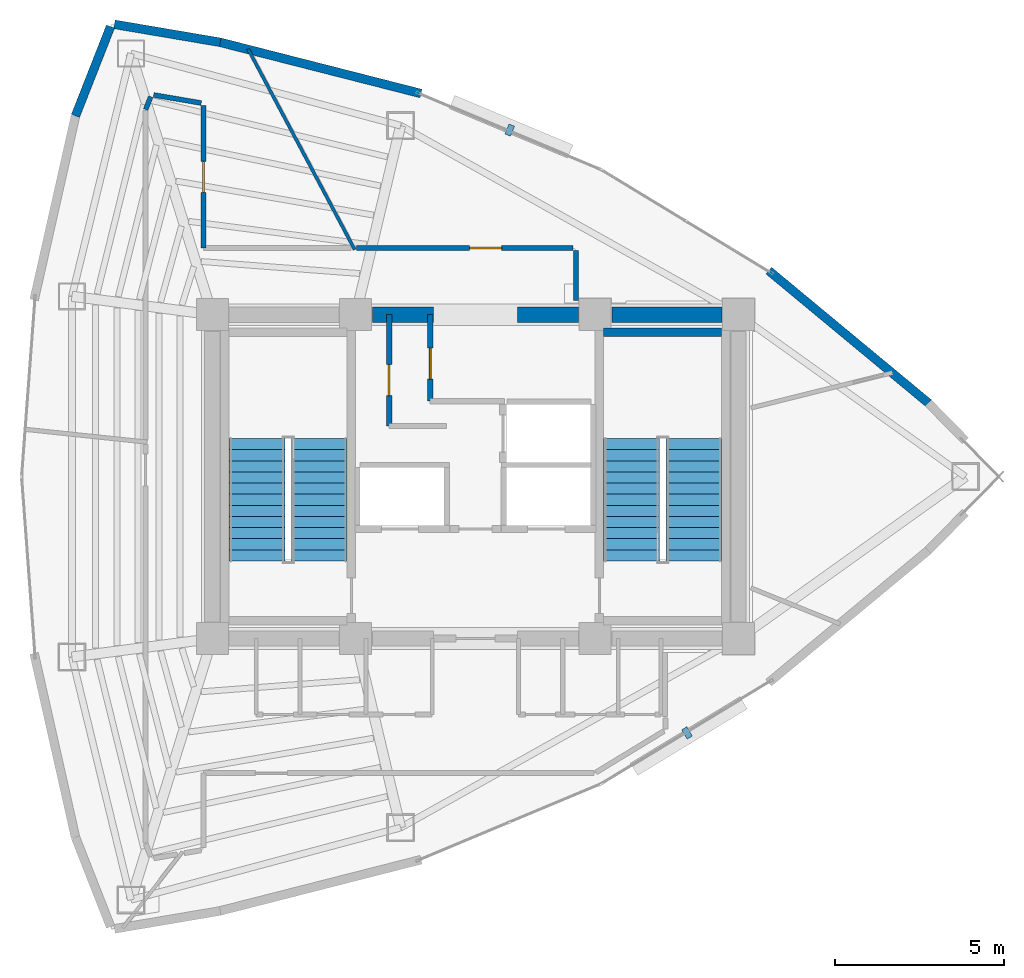
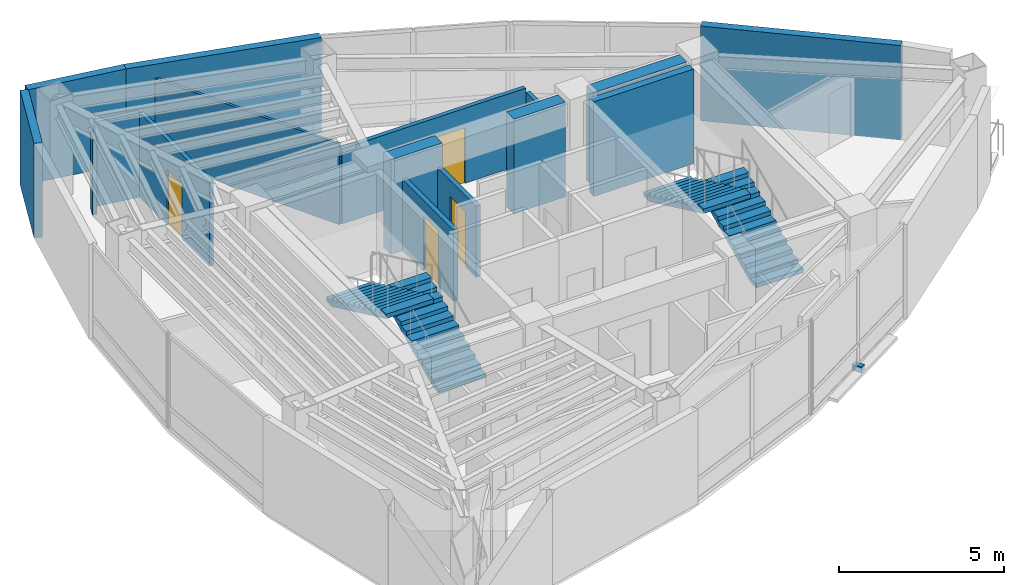
# One storey, part 13 of 15: 16 walls, 4 doors, 4 stair flights, 2 discrete accessories, 4 openings, 2 elements without a shape of their own.
"""IFC4 building model written with IfcOpenShell, lengths in metres."""

from ifc_helpers import new_model, si_unit, direction, frame, frame_2d, origin, origin_2d, place, context, subcontext, project, spatial, polyline, rectangle, outline, extrude, material, layer, layer_set, type_object, element, fill, aggregate, save


model = new_model("IFC4")

# Units and contexts
model_context = context("Model", 3, precision=1e-05, world=origin(), true_north=direction((0.0, 1.0)))
body_context = subcontext(model_context, "Body", "Model", "MODEL_VIEW")
ifc_project = project(units=[si_unit("LENGTHUNIT", "METRE"), si_unit("AREAUNIT", "SQUARE_METRE"), si_unit("VOLUMEUNIT", "CUBIC_METRE"), si_unit("PLANEANGLEUNIT", "RADIAN"), si_unit("MASSUNIT", "GRAM", prefix="KILO")], contexts=[model_context])

# Site, building, storey
site_placement = place(None, origin())
site = spatial("IfcSite", under=ifc_project, at=site_placement, CompositionType="ELEMENT")
building_placement = place(site_placement, origin())
building = spatial("IfcBuilding", under=site, at=building_placement, Name="Menara Vayukalpa", CompositionType="ELEMENT")
storey_placement = place(building_placement, frame((0.0, 0.0, 254.580078125)))
storey = spatial("IfcBuildingStorey", under=building, at=storey_placement, Name="L64", CompositionType="ELEMENT", Elevation=254.580078125)

# Walls
ifc_material_1 = material(Name="Concrete C50/60", Category="concrete")
ifc_layer_1 = layer(ifc_material_1, 0.449951171875)
ifc_layer_set_1 = layer_set([ifc_layer_1], Name="Concrete C50/60")
wall_type_1 = type_object("IfcWallType", Name="WAL-CW450", PredefinedType="SHEAR", material=ifc_layer_set_1)
wall_1_placement = place(storey_placement, frame((22.544921875, 26.800048828125, 0.0), z_axis=(0.0, 0.0, 1.0), x_axis=(1.0, 0.0, 0.0)))
element("IfcWall", 1, at=wall_1_placement, inside=storey, type_object=wall_type_1, Name="L64 Buttressed Core Shear Wall CWN2", PredefinedType="SHEAR", context=body_context, shape_type="SweptSolid", body=[
    extrude(rectangle(XDim=1.80517578125, YDim=0.449951171875, at=frame_2d((0.902587890625, 0.0))), origin(), (0.0, 0.0, 1.0), 3.5),
])
wall_2_placement = place(storey_placement, frame((26.85009765625, 26.800048828125, 0.0), z_axis=(0.0, 0.0, 1.0), x_axis=(1.0, 0.0, 0.0)))
element("IfcWall", 2, at=wall_2_placement, inside=storey, type_object=wall_type_1, Name="L64 Buttressed Core Shear Wall CWN3", PredefinedType="SHEAR", context=body_context, shape_type="SweptSolid", body=[
    extrude(rectangle(XDim=1.804931640625, YDim=0.449951171875, at=frame_2d((0.90234375, 0.0))), origin(), (0.0, 0.0, 1.0), 3.5),
])
wall_3_placement = place(storey_placement, frame((29.64501953125, 26.800048828125, 0.0), z_axis=(0.0, 0.0, 1.0), x_axis=(1.0, 0.0, 0.0)))
element("IfcWall", 3, at=wall_3_placement, inside=storey, type_object=wall_type_1, Name="L64 Buttressed Core Shear Wall CWN4", PredefinedType="SHEAR", context=body_context, shape_type="SweptSolid", body=[
    extrude(rectangle(XDim=3.260009765625, YDim=0.449951171875, at=frame_2d((1.6298828125, 0.0))), origin(), (0.0, 0.0, 1.0), 3.5),
])
ifc_material_2 = material(Name="Insulated Precast Concrete C40/50", Category="concrete")
ifc_layer_2 = layer(ifc_material_2, 0.260009765625)
ifc_layer_set_2 = layer_set([ifc_layer_2], Name="Insulated Precast Concrete C40/50")
wall_type_2 = type_object("IfcWallType", Name="WAL-EXT260", PredefinedType="PARTITIONING", material=ifc_layer_set_2)
wall_4_placement = place(storey_placement, frame((34.295166015625, 28.1083984375, 0.0), z_axis=(0.0, 0.0, 1.0), x_axis=(0.769779830138, -0.638309496337, 0.0)))
element("IfcWall", 4, at=wall_4_placement, inside=storey, type_object=wall_type_2, Name="L64 Perimeter Terracotta Pier Wall 03", PredefinedType="PARTITIONING", context=body_context, shape_type="SweptSolid", body=[
    extrude(rectangle(XDim=6.154052734375, YDim=0.260009765625, at=frame_2d((3.0771484375, 0.0))), origin(), (0.0, 0.0, 1.0), 3.5),
])
wall_5_placement = place(storey_placement, frame((18.0244140625, 34.878662109375, 0.0), z_axis=(0.0, 0.0, 1.0), x_axis=(0.968988278672, -0.247106689096, 0.0)))
element("IfcWall", 5, at=wall_5_placement, inside=storey, type_object=wall_type_2, Name="L64 Perimeter Terracotta Pier Wall 06", PredefinedType="PARTITIONING", context=body_context, shape_type="SweptSolid", body=[
    extrude(rectangle(XDim=6.154296875, YDim=0.260009765625, at=frame_2d((3.0771484375, 0.0))), origin(), (0.0, 0.0, 1.0), 3.5),
])
wall_6_placement = place(storey_placement, frame((14.900146484375, 35.40869140625, 0.0), z_axis=(0.0, 0.0, 1.0), x_axis=(0.985889432766, -0.167397808709, 0.0)))
element("IfcWall", 6, at=wall_6_placement, inside=storey, type_object=wall_type_2, Name="L64 Perimeter Terracotta Pier Wall 07", PredefinedType="PARTITIONING", context=body_context, shape_type="SweptSolid", body=[
    extrude(rectangle(XDim=3.180908203125, YDim=0.260009765625, at=frame_2d((1.59033203125, 0.0))), origin(), (0.0, 0.0, 1.0), 3.5),
])
wall_7_placement = place(storey_placement, frame((13.741943359375, 32.693359375, 0.0), z_axis=(0.0, 0.0, 1.0), x_axis=(0.36559927932, 0.930772349697, 0.0)))
element("IfcWall", 7, at=wall_7_placement, inside=storey, type_object=wall_type_2, Name="L64 Perimeter Terracotta Pier Wall 08", PredefinedType="PARTITIONING", context=body_context, shape_type="SweptSolid", body=[
    extrude(rectangle(XDim=2.845458984375, YDim=0.260009765625, at=frame_2d((1.4228515625, 0.0))), origin(), (0.0, 0.0, 1.0), 3.5),
])

# Wall, opening, door
ifc_material_3 = material(Name="Lightweight Concrete Blockwork C16/20", Category="masonry")
ifc_layer_3 = layer(ifc_material_3, 0.159912109375)
ifc_layer_set_3 = layer_set([ifc_layer_3], Name="Lightweight Concrete Blockwork C16/20")
wall_type_3 = type_object("IfcWallType", Name="WAL-FR150", PredefinedType="PARTITIONING", material=ifc_layer_set_3)
wall_8_placement = place(storey_placement, frame((23.0400390625, 23.5, 0.0), z_axis=(0.0, 0.0, 1.0), x_axis=(0.0, 1.0, 0.0)))
wall_8 = element("IfcWall", 8, at=wall_8_placement, inside=storey, type_object=wall_type_3, Name="L64 Interior Partition IW-L64-LV7WB", PredefinedType="PARTITIONING", context=body_context, shape_type="SweptSolid", body=[
    extrude(rectangle(XDim=3.300048828125, YDim=0.159912109375, at=frame_2d((1.64990234375, 0.0))), origin(), (0.0, 0.0, 1.0), 2.6298828125),
])
opening_1_placement = place(wall_8_placement, frame((0.89990234375, 0.0, 0.0)))
opening_1 = element("IfcOpeningElement", 9, at=opening_1_placement, cuts=wall_8, Name="Opening ID6", PredefinedType="OPENING", context=body_context, shape_type="SweptSolid", body=[
    extrude(rectangle(XDim=0.919921875, YDim=2.050048828125, at=frame_2d((0.4599609375, 1.02490234375))), frame((0.0, 0.08984375, 0.0), z_axis=(0.0, -1.0, 0.0), x_axis=(1.0, 0.0, 0.0)), (0.0, 0.0, 1.0), 0.179931640625),
])
ifc_material_4 = material(Name="Acoustic Hardwood Veneer Timber Door", Category="wood")
door_type_1 = type_object("IfcDoorType", Name="DR-INT92", OperationType="NOTDEFINED", PredefinedType="DOOR", material=ifc_material_4)
door_1_placement = place(opening_1_placement, origin())
door_1 = element("IfcDoor", 10, at=door_1_placement, inside=storey, type_object=door_type_1, Name="L64 Interior Door DR-L64-LV7W", OperationType="SINGLE_SWING_LEFT", OverallHeight=2.050048828125, OverallWidth=0.919921875, PredefinedType="DOOR", context=body_context, shape_type="SweptSolid", body=[
    extrude(rectangle(XDim=0.919921875, YDim=2.050048828125, at=frame_2d((0.4599609375, 1.02490234375))), frame((0.0, 0.02490234375, 0.0), z_axis=(0.0, -1.0, 0.0), x_axis=(1.0, 0.0, 0.0)), (0.0, 0.0, 1.0), 0.050048828125),
])
fill(opening_1, door_1)

wall_9_placement = place(storey_placement, frame((24.260009765625, 24.239990234375, 0.0), z_axis=(0.0, 0.0, 1.0), x_axis=(0.0, 1.0, 0.0)))
wall_9 = element("IfcWall", 11, at=wall_9_placement, inside=storey, type_object=wall_type_3, Name="L64 Interior Partition IW-L64-LV7EB", PredefinedType="PARTITIONING", context=body_context, shape_type="SweptSolid", body=[
    extrude(rectangle(XDim=2.56005859375, YDim=0.159912109375, at=frame_2d((1.280029296875, 0.0))), origin(), (0.0, 0.0, 1.0), 2.6298828125),
])
opening_2_placement = place(wall_9_placement, frame((0.64990234375, 0.0, 0.0)))
opening_2 = element("IfcOpeningElement", 12, at=opening_2_placement, cuts=wall_9, Name="Opening ID6", PredefinedType="OPENING", context=body_context, shape_type="SweptSolid", body=[
    extrude(rectangle(XDim=0.919921875, YDim=2.050048828125, at=frame_2d((0.4599609375, 1.02490234375))), frame((0.0, 0.08984375, 0.0), z_axis=(0.0, -1.0, 0.0), x_axis=(1.0, 0.0, 0.0)), (0.0, 0.0, 1.0), 0.179931640625),
])
door_2_placement = place(opening_2_placement, origin())
door_2 = element("IfcDoor", 13, at=door_2_placement, inside=storey, type_object=door_type_1, Name="L64 Interior Door DR-L64-LV7E", OperationType="SINGLE_SWING_RIGHT", OverallHeight=2.050048828125, OverallWidth=0.919921875, PredefinedType="DOOR", context=body_context, shape_type="SweptSolid", body=[
    extrude(rectangle(XDim=0.919921875, YDim=2.050048828125, at=frame_2d((0.4599609375, 1.02490234375))), frame((0.0, 0.02490234375, 0.0), z_axis=(0.0, -1.0, 0.0), x_axis=(1.0, 0.0, 0.0)), (0.0, 0.0, 1.0), 0.050048828125),
])
fill(opening_2, door_2)

# Walls
ifc_material_5 = material(Name="Glazed Demountable Office Partition", Category="glass")
ifc_layer_4 = layer(ifc_material_5, 0.094970703125)
ifc_layer_set_4 = layer_set([ifc_layer_4], Name="Glazed Demountable Office Partition")
wall_type_4 = type_object("IfcWallType", Name="WAL-PT100", PredefinedType="PARTITIONING", material=ifc_layer_set_4)
wall_10_placement = place(storey_placement, frame((22.021484375, 28.72998046875, 0.0), z_axis=(0.0, 0.0, 1.0), x_axis=(-0.469464454367, 0.882951372435, 0.0)))
element("IfcWall", 14, at=wall_10_placement, inside=storey, type_object=wall_type_4, Name="L64 Interior Partition IW-L64-RDIV02", PredefinedType="PARTITIONING", context=body_context, shape_type="SweptSolid", body=[
    extrude(rectangle(XDim=6.73388671875, YDim=0.094970703125, at=frame_2d((3.366943359375, 0.0))), origin(), (0.0, 0.0, 1.0), 2.97998046875),
])
ifc_material_6 = material(Name="Gypsum Drywall Acoustic Stud Assembly", Category="masonry")
ifc_layer_5 = layer(ifc_material_6, 0.14501953125)
ifc_layer_set_5 = layer_set([ifc_layer_5], Name="Gypsum Drywall Acoustic Stud Assembly")
wall_type_5 = type_object("IfcWallType", Name="WAL-PT150", PredefinedType="PARTITIONING", material=ifc_layer_set_5)
wall_11_placement = place(storey_placement, frame((28.580078125, 27.219970703125, 0.0), z_axis=(0.0, 0.0, 1.0), x_axis=(0.0, 1.0, 0.0)))
element("IfcWall", 15, at=wall_11_placement, inside=storey, type_object=wall_type_5, Name="L64 Interior Partition IW-L64-CRM05-1", PredefinedType="PARTITIONING", context=body_context, shape_type="SweptSolid", body=[
    extrude(rectangle(XDim=1.47998046875, YDim=0.14501953125, at=frame_2d((0.739990234375, 0.0))), origin(), (0.0, 0.0, 1.0), 2.6298828125),
])

# Wall, opening, door
wall_12_placement = place(storey_placement, frame((28.5, 28.780029296875, 0.0), z_axis=(0.0, 0.0, 1.0), x_axis=(-1.0, 0.0, 0.0)))
wall_12 = element("IfcWall", 16, at=wall_12_placement, inside=storey, type_object=wall_type_5, Name="L64 Interior Partition IW-L64-CRM05-2", PredefinedType="PARTITIONING", context=body_context, shape_type="SweptSolid", body=[
    extrude(rectangle(XDim=6.42578125, YDim=0.14501953125, at=frame_2d((3.212890625, 0.0))), origin(), (0.0, 0.0, 1.0), 2.780029296875),
])
opening_3_placement = place(wall_12_placement, frame((2.123291015625, 0.0, 0.0)))
opening_3 = element("IfcOpeningElement", 17, at=opening_3_placement, cuts=wall_12, Name="Opening ID5", PredefinedType="OPENING", context=body_context, shape_type="SweptSolid", body=[
    extrude(rectangle(XDim=0.949951171875, YDim=2.06005859375, at=frame_2d((0.47509765625, 1.030029296875))), frame((0.0, 0.08251953125, 0.0), z_axis=(0.0, -1.0, 0.0), x_axis=(1.0, 0.0, 0.0)), (0.0, 0.0, 1.0), 0.1650390625),
])
ifc_material_7 = material(Name="Acoustic Hardwood Veneer Timber Door", Category="wood")
door_type_2 = type_object("IfcDoorType", Name="DR-INT95", OperationType="NOTDEFINED", PredefinedType="DOOR", material=ifc_material_7)
door_3_placement = place(opening_3_placement, origin())
door_3 = element("IfcDoor", 18, at=door_3_placement, inside=storey, type_object=door_type_2, Name="L64 Interior Door DR-L64-RM05", OperationType="SINGLE_SWING_LEFT", OverallHeight=2.06005859375, OverallWidth=0.949951171875, PredefinedType="DOOR", context=body_context, shape_type="SweptSolid", body=[
    extrude(rectangle(XDim=0.949951171875, YDim=2.06005859375, at=frame_2d((0.47509765625, 1.030029296875))), frame((0.0, 0.02490234375, 0.0), z_axis=(0.0, -1.0, 0.0), x_axis=(1.0, 0.0, 0.0)), (0.0, 0.0, 1.0), 0.050048828125),
])
fill(opening_3, door_3)

wall_13_placement = place(storey_placement, frame((17.5400390625, 28.780029296875, 0.0), z_axis=(0.0, 0.0, 1.0), x_axis=(0.0, 1.0, 0.0)))
wall_13 = element("IfcWall", 19, at=wall_13_placement, inside=storey, type_object=wall_type_5, Name="L64 Interior Partition IW-L64-CRM06-2", PredefinedType="PARTITIONING", context=body_context, shape_type="SweptSolid", body=[
    extrude(rectangle(XDim=4.216064453125, YDim=0.14501953125, at=frame_2d((2.10791015625, 0.0))), origin(), (0.0, 0.0, 1.0), 3.1298828125),
])
opening_4_placement = place(wall_13_placement, frame((1.64794921875, 0.0, 0.0)))
opening_4 = element("IfcOpeningElement", 20, at=opening_4_placement, cuts=wall_13, Name="Opening ID6", PredefinedType="OPENING", context=body_context, shape_type="SweptSolid", body=[
    extrude(rectangle(XDim=0.919921875, YDim=2.050048828125, at=frame_2d((0.4599609375, 1.02490234375))), frame((0.0, 0.08251953125, 0.0), z_axis=(0.0, -1.0, 0.0), x_axis=(1.0, 0.0, 0.0)), (0.0, 0.0, 1.0), 0.1650390625),
])
door_4_placement = place(opening_4_placement, origin())
door_4 = element("IfcDoor", 21, at=door_4_placement, inside=storey, type_object=door_type_1, Name="L64 Interior Door DR-L64-RM06", OperationType="SINGLE_SWING_RIGHT", OverallHeight=2.050048828125, OverallWidth=0.919921875, PredefinedType="DOOR", context=body_context, shape_type="SweptSolid", body=[
    extrude(rectangle(XDim=0.919921875, YDim=2.050048828125, at=frame_2d((0.4599609375, 1.02490234375))), frame((0.0, 0.02490234375, 0.0), z_axis=(0.0, -1.0, 0.0), x_axis=(1.0, 0.0, 0.0)), (0.0, 0.0, 1.0), 0.050048828125),
])
fill(opening_4, door_4)

# Walls
wall_14_placement = place(storey_placement, frame((17.473388671875, 33.074951171875, 0.0), z_axis=(0.0, 0.0, 1.0), x_axis=(-0.985881780308, 0.167442871621, 0.0)))
element("IfcWall", 22, at=wall_14_placement, inside=storey, type_object=wall_type_5, Name="L64 Interior Partition IW-L64-CRM06-3", PredefinedType="PARTITIONING", context=body_context, shape_type="SweptSolid", body=[
    extrude(rectangle(XDim=1.430419921875, YDim=0.14501953125, at=frame_2d((0.71533203125, 0.0))), origin(), (0.0, 0.0, 1.0), 3.1298828125),
])
wall_15_placement = place(storey_placement, frame((15.975341796875, 33.2646484375, 0.0), z_axis=(0.0, 0.0, 1.0), x_axis=(-0.365633948196, -0.930758731319, 0.0)))
element("IfcWall", 23, at=wall_15_placement, inside=storey, type_object=wall_type_5, Name="L64 Interior Partition IW-L64-CRM06-4", PredefinedType="PARTITIONING", context=body_context, shape_type="SweptSolid", body=[
    extrude(rectangle(XDim=0.409912109375, YDim=0.14501953125, at=frame_2d((0.205078125, 0.0))), origin(), (0.0, 0.0, 1.0), 2.780029296875),
])
ifc_material_8 = material(Name="Concrete C50/60", Category="concrete")
ifc_layer_6 = layer(ifc_material_8, 0.25)
ifc_layer_set_6 = layer_set([ifc_layer_6], Name="Concrete C50/60")
wall_type_6 = type_object("IfcWallType", Name="WAL-SW250", PredefinedType="SHEAR", material=ifc_layer_set_6)
wall_16_placement = place(storey_placement, frame((29.39990234375, 26.27490234375, 0.0), z_axis=(0.0, 0.0, 1.0), x_axis=(1.0, 0.0, 0.0)))
element("IfcWall", 24, at=wall_16_placement, inside=storey, type_object=wall_type_6, Name="L64 ST2 Structural Stair Shaft Wall N", PredefinedType="SHEAR", context=body_context, shape_type="SweptSolid", body=[
    extrude(rectangle(XDim=3.5, YDim=0.25, at=frame_2d((1.75, 0.0))), origin(), (0.0, 0.0, 1.0), 3.5),
])

# Stair, stair flights
ifc_material_9 = material(Name="Precast Concrete C40/50", Category="concrete")
stair_type = type_object("IfcStairType", Name="STR-T04", PredefinedType="DOUBLE_RETURN_STAIR", material=ifc_material_9)
stair_1_placement = place(storey_placement, origin())
stair_1 = element("IfcStair", 25, at=stair_1_placement, inside=storey, type_object=stair_type, Name="L64 Core Exit Stair ST-1", PredefinedType="DOUBLE_RETURN_STAIR")
ifc_material_10 = material(Name="Precast Concrete C40/50", Category="concrete")
stair_flight_type = type_object("IfcStairFlightType", Name="STF-T04", PredefinedType="STRAIGHT", material=ifc_material_10)
stair_flight_1_placement = place(storey_placement, frame((20.97509765625, 19.5, 0.0), z_axis=(0.0, 0.0, 1.0), x_axis=(0.0, 1.0, 0.0)))
stair_flight_1 = element("IfcStairFlight", 26, at=stair_flight_1_placement, type_object=stair_flight_type, Name="ST-1 flight 1", NumberOfRisers=12, NumberOfTreads=11, PredefinedType="STRAIGHT", RiserHeight=0.155, TreadLength=0.33, context=body_context, shape_type="SweptSolid", body=[
    extrude(outline(polyline([(0.0, 0.0), (0.0, 0.155029296875), (0.330078125, 0.155029296875), (0.330078125, 0.31005859375), (0.659912109375, 0.31005859375), (0.659912109375, 0.465087890625), (0.989990234375, 0.465087890625), (0.989990234375, 0.6201171875), (1.320068359375, 0.6201171875), (1.320068359375, 0.77490234375), (1.64990234375, 0.77490234375), (1.64990234375, 0.929931640625), (1.97998046875, 0.929931640625), (1.97998046875, 1.0849609375), (2.31005859375, 1.0849609375), (2.31005859375, 1.239990234375), (2.639892578125, 1.239990234375), (2.639892578125, 1.39501953125), (2.969970703125, 1.39501953125), (2.969970703125, 1.550048828125), (3.300048828125, 1.550048828125), (3.300048828125, 1.705078125), (3.6298828125, 1.705078125), (3.6298828125, 1.860107421875), (3.6298828125, 1.539306640625), (0.3525390625, 0.0), (0.0, 0.0)])), frame((0.0, 0.824951171875, 0.0), z_axis=(0.0, -1.0, 0.0), x_axis=(1.0, 0.0, 0.0)), (0.0, 0.0, 1.0), 1.64990234375),
])
stair_flight_2_placement = place(storey_placement, frame((19.125, 23.1298828125, 1.85986328125), z_axis=(0.0, 0.0, 1.0), x_axis=(0.0, -1.0, 0.0)))
stair_flight_2 = element("IfcStairFlight", 27, at=stair_flight_2_placement, type_object=stair_flight_type, Name="ST-1 flight 2", NumberOfRisers=12, NumberOfTreads=11, PredefinedType="STRAIGHT", RiserHeight=0.155, TreadLength=0.33, context=body_context, shape_type="SweptSolid", body=[
    extrude(outline(polyline([(0.0, 0.0), (0.0, 0.155029296875), (0.330078125, 0.155029296875), (0.330078125, 0.31005859375), (0.659912109375, 0.31005859375), (0.659912109375, 0.465087890625), (0.989990234375, 0.465087890625), (0.989990234375, 0.6201171875), (1.320068359375, 0.6201171875), (1.320068359375, 0.77490234375), (1.64990234375, 0.77490234375), (1.64990234375, 0.929931640625), (1.97998046875, 0.929931640625), (1.97998046875, 1.0849609375), (2.31005859375, 1.0849609375), (2.31005859375, 1.239990234375), (2.639892578125, 1.239990234375), (2.639892578125, 1.39501953125), (2.969970703125, 1.39501953125), (2.969970703125, 1.550048828125), (3.300048828125, 1.550048828125), (3.300048828125, 1.705078125), (3.6298828125, 1.705078125), (3.6298828125, 1.860107421875), (3.6298828125, 1.539306640625), (0.3525390625, 0.0), (0.0, 0.0)])), frame((0.0, 0.824951171875, 0.0), z_axis=(0.0, -1.0, 0.0), x_axis=(1.0, 0.0, 0.0)), (0.0, 0.0, 1.0), 1.64990234375),
])
aggregate(stair_1, [stair_flight_1, stair_flight_2])

stair_2_placement = place(storey_placement, origin())
stair_2 = element("IfcStair", 28, at=stair_2_placement, inside=storey, type_object=stair_type, Name="L64 Core Exit Stair ST-2", PredefinedType="DOUBLE_RETURN_STAIR")
stair_flight_3_placement = place(storey_placement, frame((32.074951171875, 19.5, 0.0), z_axis=(0.0, 0.0, 1.0), x_axis=(0.0, 1.0, 0.0)))
stair_flight_3 = element("IfcStairFlight", 29, at=stair_flight_3_placement, type_object=stair_flight_type, Name="ST-2 flight 1", NumberOfRisers=12, NumberOfTreads=11, PredefinedType="STRAIGHT", RiserHeight=0.155, TreadLength=0.33, context=body_context, shape_type="SweptSolid", body=[
    extrude(outline(polyline([(0.0, 0.0), (0.0, 0.155029296875), (0.330078125, 0.155029296875), (0.330078125, 0.31005859375), (0.659912109375, 0.31005859375), (0.659912109375, 0.465087890625), (0.989990234375, 0.465087890625), (0.989990234375, 0.6201171875), (1.320068359375, 0.6201171875), (1.320068359375, 0.77490234375), (1.64990234375, 0.77490234375), (1.64990234375, 0.929931640625), (1.97998046875, 0.929931640625), (1.97998046875, 1.0849609375), (2.31005859375, 1.0849609375), (2.31005859375, 1.239990234375), (2.639892578125, 1.239990234375), (2.639892578125, 1.39501953125), (2.969970703125, 1.39501953125), (2.969970703125, 1.550048828125), (3.300048828125, 1.550048828125), (3.300048828125, 1.705078125), (3.6298828125, 1.705078125), (3.6298828125, 1.860107421875), (3.6298828125, 1.539306640625), (0.3525390625, 0.0), (0.0, 0.0)])), frame((0.0, 0.824951171875, 0.0), z_axis=(0.0, -1.0, 0.0), x_axis=(1.0, 0.0, 0.0)), (0.0, 0.0, 1.0), 1.64990234375),
])
stair_flight_4_placement = place(storey_placement, frame((30.22509765625, 23.1298828125, 1.85986328125), z_axis=(0.0, 0.0, 1.0), x_axis=(0.0, -1.0, 0.0)))
stair_flight_4 = element("IfcStairFlight", 30, at=stair_flight_4_placement, type_object=stair_flight_type, Name="ST-2 flight 2", NumberOfRisers=12, NumberOfTreads=11, PredefinedType="STRAIGHT", RiserHeight=0.155, TreadLength=0.33, context=body_context, shape_type="SweptSolid", body=[
    extrude(outline(polyline([(0.0, 0.0), (0.0, 0.155029296875), (0.330078125, 0.155029296875), (0.330078125, 0.31005859375), (0.659912109375, 0.31005859375), (0.659912109375, 0.465087890625), (0.989990234375, 0.465087890625), (0.989990234375, 0.6201171875), (1.320068359375, 0.6201171875), (1.320068359375, 0.77490234375), (1.64990234375, 0.77490234375), (1.64990234375, 0.929931640625), (1.97998046875, 0.929931640625), (1.97998046875, 1.0849609375), (2.31005859375, 1.0849609375), (2.31005859375, 1.239990234375), (2.639892578125, 1.239990234375), (2.639892578125, 1.39501953125), (2.969970703125, 1.39501953125), (2.969970703125, 1.550048828125), (3.300048828125, 1.550048828125), (3.300048828125, 1.705078125), (3.6298828125, 1.705078125), (3.6298828125, 1.860107421875), (3.6298828125, 1.539306640625), (0.3525390625, 0.0), (0.0, 0.0)])), frame((0.0, 0.824951171875, 0.0), z_axis=(0.0, -1.0, 0.0), x_axis=(1.0, 0.0, 0.0)), (0.0, 0.0, 1.0), 1.64990234375),
])
aggregate(stair_2, [stair_flight_3, stair_flight_4])

# Discrete accessories
ifc_material_11 = material(Name="Stainless Steel 316 Sunshade Bracket", Category="steel")
discrete_accessory_type = type_object("IfcDiscreteAccessoryType", Name="ACC-BRK1", PredefinedType="BRACKET", material=ifc_material_11)
for number, where, z_axis, x_axis, name in (
    (31, (26.61767578125, 32.272705078125, -0.16015625), (0.0, 0.0, 1.0), (-0.922538089456, 0.385906042324, 0.0), "L64 Terracotta Sunshade Bracket 05"),
    (32, (31.87109375, 14.402587890625, -0.16015625), (0.0, 0.0, 1.0), (0.85466730962, 0.519176068272, 0.0), "L64 Terracotta Sunshade Bracket 17"),
):
    element("IfcDiscreteAccessory", number, at=place(storey_placement, frame(where, z_axis=z_axis, x_axis=x_axis)), inside=storey, type_object=discrete_accessory_type, Name=name, PredefinedType="BRACKET", context=body_context, shape_type="SweptSolid", body=[
        extrude(rectangle(XDim=0.179931640625, YDim=0.320068359375, at=origin_2d()), origin(), (0.0, 0.0, 1.0), 0.219970703125),
    ])

save(model, "model.ifc")
